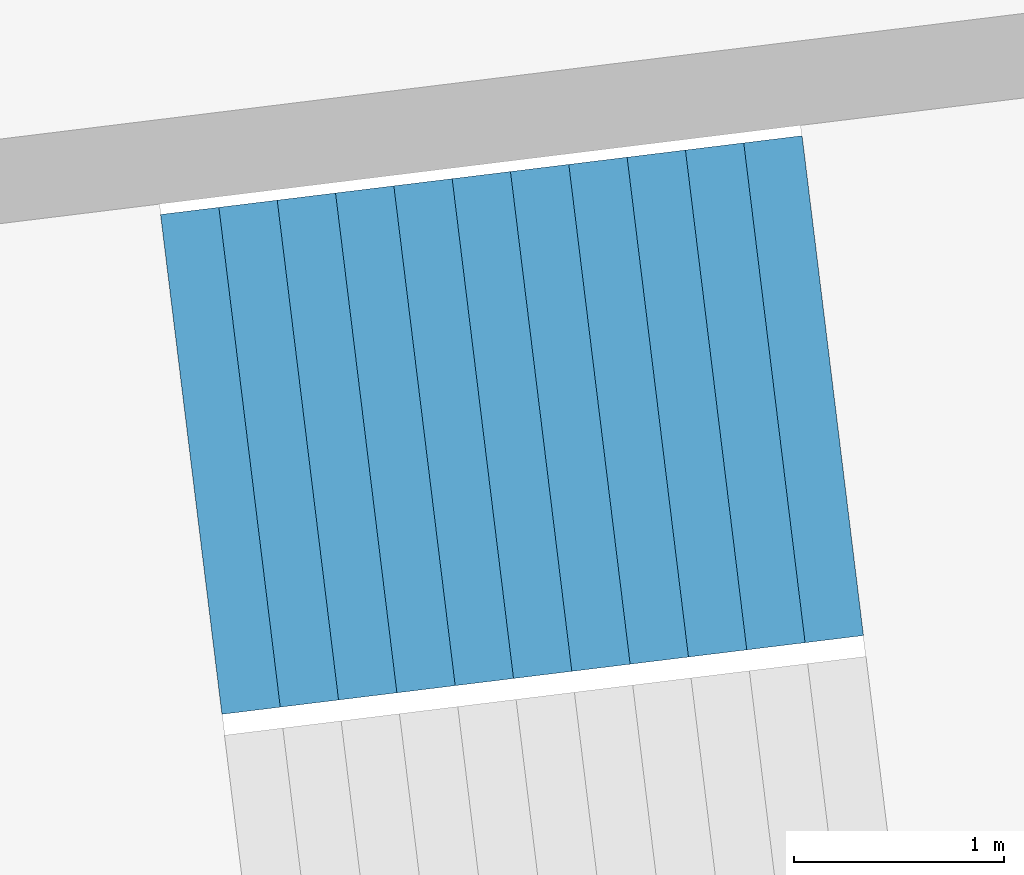
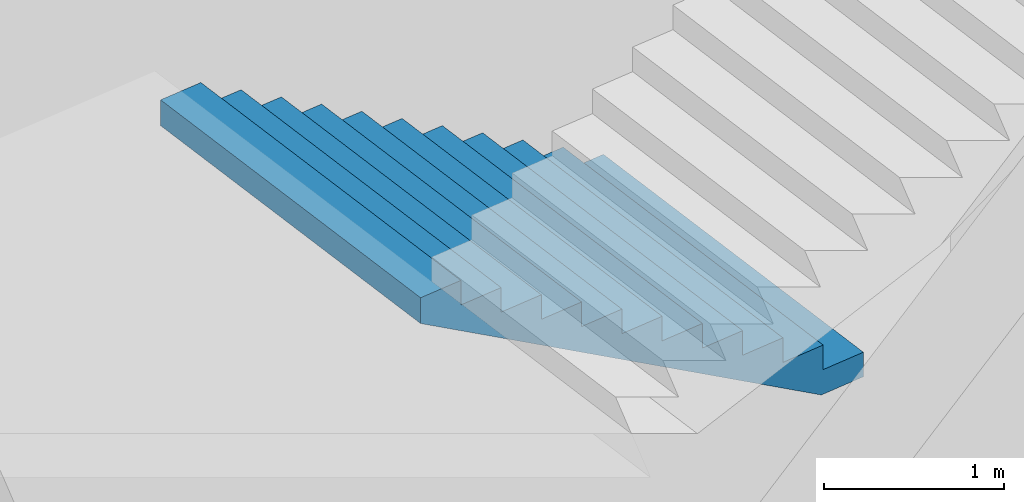
# One storey, part 25 of 74: 1 stair flight, 1 element without a shape of its own.
"""IFC4 building model written with IfcOpenShell, lengths in metres."""

import ifcopenshell
import ifcopenshell.guid

model = None  # the IFC model being written
_history = None  # IfcOwnerHistory: only IFC2X3 demands one
_inside = {}  # id of a spatial element -> (the spatial element, [elements in it])
_under = {}  # id of a project, library or spatial element -> (it, [spatial elements below it])
_declared = {}  # id of a project -> (the project, [libraries it declares])
_typed = {}  # id of a type object -> (the type object, [elements of that type])
_made_of = {}  # id of a material, layer set ... -> (it, [elements and type objects made of it])


def new_model(schema):
    """Start an empty IFC model of exactly this schema.

    Asked for "IFC4X3", IfcOpenShell would pick the latest addendum, in which some entities
    have other attributes; the version numbers below select the first issue.
    IFC2X3 requires an IfcOwnerHistory on every rooted entity: one is made here for all.
    """
    global model, _history
    if schema == "IFC4X3":
        model = ifcopenshell.file(schema_version=(4, 3, 0, 0))
    else:
        model = ifcopenshell.file(schema=schema)
    _inside.clear()
    _under.clear()
    _declared.clear()
    _typed.clear()
    _made_of.clear()
    _history = None
    if model.schema == "IFC2X3":
        org = make("IfcOrganization", Name="unknown")
        user = make(
            "IfcPersonAndOrganization",
            ThePerson=make("IfcPerson", FamilyName="unknown"),
            TheOrganization=org,
        )
        app = make(
            "IfcApplication",
            ApplicationDeveloper=org,
            Version="unknown",
            ApplicationFullName="unknown",
            ApplicationIdentifier="unknown",
        )
        _history = make(
            "IfcOwnerHistory",
            OwningUser=user,
            OwningApplication=app,
            ChangeAction="ADDED",
            CreationDate=0,
        )
    return model


def make(cls, **values):
    """One entity of the class cls with the attributes given. An attribute that is None is left unset."""
    return model.create_entity(
        cls, **{name: value for name, value in values.items() if value is not None}
    )


def rooted(cls, **values):
    """An entity with a GlobalId (a new one), such as an element, a storey or a relation."""
    return make(cls, GlobalId=ifcopenshell.guid.new(), OwnerHistory=_history, **values)


def si_unit(unit_type, name, prefix=None):
    """IfcSIUnit, for example si_unit("LENGTHUNIT", "METRE", prefix="MILLI")."""
    return make("IfcSIUnit", UnitType=unit_type, Prefix=prefix, Name=name)


def assignment(units):
    """IfcUnitAssignment: the units of a project."""
    return None if units is None else make("IfcUnitAssignment", Units=units)


def point(xyz):
    """IfcCartesianPoint."""
    return None if xyz is None else make("IfcCartesianPoint", Coordinates=xyz)


def direction(xyz):
    """IfcDirection."""
    return None if xyz is None else make("IfcDirection", DirectionRatios=xyz)


def frame(location, z_axis=None, x_axis=None):
    """IfcAxis2Placement3D, a coordinate frame: its origin and axes. An axis left out is left unset."""
    return make(
        "IfcAxis2Placement3D",
        Location=point(location),
        Axis=direction(z_axis),
        RefDirection=direction(x_axis),
    )


def origin():
    """The frame at (0, 0, 0) with its axes left unset."""
    return frame((0.0, 0.0, 0.0))


def place(relative_to, where):
    """IfcLocalPlacement: puts the frame where relative to a parent placement (None: the world)."""
    return make(
        "IfcLocalPlacement", PlacementRelTo=relative_to, RelativePlacement=where
    )


def context(
    kind, dimensions, precision=None, world=None, true_north=None, identifier=None
):
    """IfcGeometricRepresentationContext, for example the 3D "Model" context."""
    return make(
        "IfcGeometricRepresentationContext",
        ContextIdentifier=identifier,
        ContextType=kind,
        CoordinateSpaceDimension=dimensions,
        Precision=precision,
        WorldCoordinateSystem=world,
        TrueNorth=true_north,
    )


def subcontext(parent, identifier, kind, view, scale=None):
    """IfcGeometricRepresentationSubContext, for example "Body" below "Model"."""
    return make(
        "IfcGeometricRepresentationSubContext",
        ContextIdentifier=identifier,
        ContextType=kind,
        ParentContext=parent,
        TargetScale=scale,
        TargetView=view,
    )


def project(units=None, contexts=None):
    """IfcProject with its units and contexts."""
    return rooted(
        "IfcProject",
        Name="project",
        RepresentationContexts=contexts,
        UnitsInContext=assignment(units),
    )


def spatial(cls, under=None, at=None, **own):
    """A site, building, storey or space (cls), placed at a placement, below another one or the project."""
    s = rooted(cls, ObjectPlacement=at, **own)
    if under is not None:
        _under.setdefault(under.id(), (under, []))[1].append(s)
    return s


def point_list(points):
    """IfcCartesianPointList2D or 3D."""
    cls = (
        "IfcCartesianPointList2D" if len(points[0]) == 2 else "IfcCartesianPointList3D"
    )
    return make(cls, CoordList=points)


def triangles(points, corners, closed=None, point_numbers=None):
    """IfcTriangulatedFaceSet: each triangle names its three corners, points numbered from 1."""
    return make(
        "IfcTriangulatedFaceSet",
        Coordinates=point_list(points),
        Closed=closed,
        CoordIndex=corners,
        PnIndex=point_numbers,
    )


def shape(context_of_items, identifier, shape_type, items):
    """IfcShapeRepresentation: the items that make up one representation, for example the "Body"."""
    return make(
        "IfcShapeRepresentation",
        ContextOfItems=context_of_items,
        RepresentationIdentifier=identifier,
        RepresentationType=shape_type,
        Items=items,
    )


def material(Name=None, Category=None):
    """IfcMaterial."""
    return make("IfcMaterial", Name=Name, Category=Category)


def made_of(thing, what):
    """Note that an element or type object is made of a material, layer set ...; save() writes the relation."""
    if what is not None:
        _made_of.setdefault(what.id(), (what, []))[1].append(thing)
    return thing


def type_object(cls, material=None, **own):
    """A type object (cls), such as IfcWallType, which elements share."""
    return made_of(rooted(cls, **own), material)


def element(
    cls,
    number,
    at=None,
    inside=None,
    cuts=None,
    type_object=None,
    material=None,
    context=None,
    identifier="Body",
    shape_type=None,
    held_by="IfcProductDefinitionShape",
    body=None,
    shapes=None,
    **own,
):
    """One element of the class cls, such as IfcWall. Its Tag is "e" and its number.

    at: its placement. inside: the storey or other place that contains it. cuts: it is an
    opening in that element (IfcRelVoidsElement). A single representation is given by context,
    identifier, shape_type and body (its items); several are given by shapes. held_by: the class
    of the entity that holds the representations. save() writes the other relations.
    """
    e = rooted(cls, Tag="e%d" % number, ObjectPlacement=at, **own)
    if body is not None:
        shapes = [shape(context, identifier, shape_type, body)]
    if shapes is not None:
        e.Representation = make(held_by, Representations=shapes)
    if inside is not None:
        _inside.setdefault(inside.id(), (inside, []))[1].append(e)
    if cuts is not None:
        rooted(
            "IfcRelVoidsElement", RelatingBuildingElement=cuts, RelatedOpeningElement=e
        )
    if type_object is not None:
        _typed.setdefault(type_object.id(), (type_object, []))[1].append(e)
    return made_of(e, material)


def aggregate(whole, parts):
    """IfcRelAggregates: a whole, such as a stair, and the parts it consists of."""
    return rooted("IfcRelAggregates", RelatingObject=whole, RelatedObjects=parts)


def save(model, path):
    """Write the relations noted so far, then the file.

    IfcRelAggregates (storeys below a building ...), IfcRelContainedInSpatialStructure (elements
    in a storey), IfcRelDefinesByType, IfcRelAssociatesMaterial and IfcRelDeclares: one each for
    every whole, place, type object, material and project.
    """
    for whole, parts in _under.values():
        aggregate(whole, parts)
    for where, things in _inside.values():
        rooted(
            "IfcRelContainedInSpatialStructure",
            RelatedElements=things,
            RelatingStructure=where,
        )
    for kind, things in _typed.values():
        rooted("IfcRelDefinesByType", RelatedObjects=things, RelatingType=kind)
    for what, things in _made_of.values():
        rooted("IfcRelAssociatesMaterial", RelatedObjects=things, RelatingMaterial=what)
    for by, libraries in _declared.values():
        rooted("IfcRelDeclares", RelatingContext=by, RelatedDefinitions=libraries)
    model.write(path)


model = new_model("IFC4")

# Units and contexts
model_context = context("Model", 3, precision=1e-05, world=origin(), true_north=direction((0.0, 1.0)))
body_context = subcontext(model_context, "Body", "Model", "MODEL_VIEW")
ifc_project = project(units=[si_unit("LENGTHUNIT", "METRE"), si_unit("AREAUNIT", "SQUARE_METRE"), si_unit("VOLUMEUNIT", "CUBIC_METRE"), si_unit("PLANEANGLEUNIT", "RADIAN"), si_unit("MASSUNIT", "GRAM", prefix="KILO")], contexts=[model_context])

# Site, building, storey
site_placement = place(None, origin())
site = spatial("IfcSite", under=ifc_project, at=site_placement, CompositionType="ELEMENT")
building_placement = place(site_placement, origin())
building = spatial("IfcBuilding", under=site, at=building_placement, Name="Lantaw Convention Tower", CompositionType="ELEMENT")
storey_placement = place(building_placement, frame((0.0, 0.0, 6.5)))
storey = spatial("IfcBuildingStorey", under=building, at=storey_placement, Name="L01", CompositionType="ELEMENT", Elevation=6.5)

# Stair, stair flight
ifc_material = material(Name="Concrete C35/45", Category="concrete")
stair_type = type_object("IfcStairType", Name="Exit stair 2400 riser 166.67 in 4 flights", PredefinedType="HALF_TURN_STAIR", material=ifc_material)
stair_placement = place(storey_placement, origin())
stair = element("IfcStair", 1, at=stair_placement, inside=storey, type_object=stair_type, Name="Podium exit stair P10 L01", PredefinedType="HALF_TURN_STAIR")
stair_flight_type = type_object("IfcStairFlightType", Name="Stair flight 2400 riser 166.67", PredefinedType="STRAIGHT", material=ifc_material)
stair_flight_placement = place(storey_placement, frame((-35.162109375, -3.057861328125, 4.0), z_axis=(0.0, 0.0, 1.0), x_axis=(-0.992546151641, -0.121869343405, 0.0)))
stair_flight = element("IfcStairFlight", 2, at=stair_flight_placement, type_object=stair_flight_type, Name="P10 flight 3", NumberOfRisers=12, NumberOfTreads=11, PredefinedType="STRAIGHT", RiserHeight=0.166666667, TreadLength=0.28, context=body_context, shape_type="Tessellation", body=[
    triangles([(0.0, 1.199951171875, 0.0), (0.0, 1.199951171875, 0.166666667), (0.28, 1.199951171875, 0.0), (0.28, 1.199951171875, 0.166666667), (0.28, 1.199951171875, 0.333333334), (0.29307345806906726, 1.199951171875, 0.0), (0.29307345806906726, 1.199951171875, 0.333333334), (0.56, 1.199951171875, 0.15888484670522965), (0.56, 1.199951171875, 0.333333334), (0.56, 1.199951171875, 0.500000001), (0.8400000000000001, 1.199951171875, 0.3255515137052296), (0.8400000000000001, 1.199951171875, 0.500000001), (0.8400000000000001, 1.199951171875, 0.666666668), (1.12, 1.199951171875, 0.4922181807052296), (1.12, 1.199951171875, 0.666666668), (1.12, 1.199951171875, 0.833333335), (1.4000000000000001, 1.199951171875, 0.6588848477052296), (1.4000000000000001, 1.199951171875, 0.833333335), (1.4000000000000001, 1.199951171875, 1.000000002), (1.6800000000000002, 1.199951171875, 0.8255515147052296), (1.6800000000000002, 1.199951171875, 1.000000002), (1.6800000000000002, 1.199951171875, 1.166666669), (1.9600000000000002, 1.199951171875, 0.9922181817052296), (1.9600000000000002, 1.199951171875, 1.166666669), (1.9600000000000002, 1.199951171875, 1.333333336), (2.24, 1.199951171875, 1.1588848487052295), (2.24, 1.199951171875, 1.333333336), (2.24, 1.199951171875, 1.5000000029999998), (2.5200000000000005, 1.199951171875, 1.3255515157052296), (2.5200000000000005, 1.199951171875, 1.5000000029999998), (2.5200000000000005, 1.199951171875, 1.66666667), (2.8000000000000003, 1.199951171875, 1.4922181827052294), (2.8000000000000003, 1.199951171875, 1.66666667), (2.8000000000000003, 1.199951171875, 1.833333337), (3.08, 1.199951171875, 1.6588848497052293), (3.08, 1.199951171875, 1.833333337), (0.0, -1.199951171875, 0.0), (0.0, -1.199951171875, 0.166666667), (0.28, -1.199951171875, 0.0), (0.28, -1.199951171875, 0.166666667), (0.28, -1.199951171875, 0.333333334), (0.29307345806906726, -1.199951171875, 0.0), (0.29307345806906726, -1.199951171875, 0.333333334), (0.56, -1.199951171875, 0.15888484670522965), (0.56, -1.199951171875, 0.333333334), (0.56, -1.199951171875, 0.500000001), (0.8400000000000001, -1.199951171875, 0.3255515137052296), (0.8400000000000001, -1.199951171875, 0.500000001), (0.8400000000000001, -1.199951171875, 0.666666668), (1.12, -1.199951171875, 0.4922181807052296), (1.12, -1.199951171875, 0.666666668), (1.12, -1.199951171875, 0.833333335), (1.4000000000000001, -1.199951171875, 0.6588848477052296), (1.4000000000000001, -1.199951171875, 0.833333335), (1.4000000000000001, -1.199951171875, 1.000000002), (1.6800000000000002, -1.199951171875, 0.8255515147052296), (1.6800000000000002, -1.199951171875, 1.000000002), (1.6800000000000002, -1.199951171875, 1.166666669), (1.9600000000000002, -1.199951171875, 0.9922181817052296), (1.9600000000000002, -1.199951171875, 1.166666669), (1.9600000000000002, -1.199951171875, 1.333333336), (2.24, -1.199951171875, 1.1588848487052295), (2.24, -1.199951171875, 1.333333336), (2.24, -1.199951171875, 1.5000000029999998), (2.5200000000000005, -1.199951171875, 1.3255515157052296), (2.5200000000000005, -1.199951171875, 1.5000000029999998), (2.5200000000000005, -1.199951171875, 1.66666667), (2.8000000000000003, -1.199951171875, 1.4922181827052294), (2.8000000000000003, -1.199951171875, 1.66666667), (2.8000000000000003, -1.199951171875, 1.833333337), (3.08, -1.199951171875, 1.6588848497052293), (3.08, -1.199951171875, 1.833333337), (0.0, 0.239990234375, 0.166666667), (0.0, 0.239990234375, 0.0), (0.0, 0.1199951171875, 0.166666667), (0.0, 0.1199951171875, 0.0), (0.0, 0.0, 0.166666667), (0.0, 0.0, 0.0), (0.0, -0.1199951171875, 0.166666667), (0.0, -0.1199951171875, 0.0), (0.0, -0.239990234375, 0.166666667), (0.0, -0.239990234375, 0.0), (0.28, 0.239990234375, 0.333333334), (0.28, 0.239990234375, 0.166666667), (0.28, 0.1199951171875, 0.333333334), (0.28, 0.1199951171875, 0.166666667), (0.28, 0.0, 0.333333334), (0.28, 0.0, 0.166666667), (0.28, -0.1199951171875, 0.333333334), (0.28, -0.1199951171875, 0.166666667), (0.28, -0.239990234375, 0.333333334), (0.28, -0.239990234375, 0.166666667), (0.56, 0.239990234375, 0.500000001), (0.56, 0.239990234375, 0.333333334), (0.56, 0.1199951171875, 0.500000001), (0.56, 0.1199951171875, 0.333333334), (0.56, 0.0, 0.500000001), (0.56, 0.0, 0.333333334), (0.56, -0.1199951171875, 0.500000001), (0.56, -0.1199951171875, 0.333333334), (0.56, -0.239990234375, 0.500000001), (0.56, -0.239990234375, 0.333333334), (0.8400000000000001, 0.239990234375, 0.666666668), (0.8400000000000001, 0.239990234375, 0.500000001), (0.8400000000000001, 0.1199951171875, 0.666666668), (0.8400000000000001, 0.1199951171875, 0.500000001), (0.8400000000000001, 0.0, 0.666666668), (0.8400000000000001, 0.0, 0.500000001), (0.8400000000000001, -0.1199951171875, 0.666666668), (0.8400000000000001, -0.1199951171875, 0.500000001), (0.8400000000000001, -0.239990234375, 0.666666668), (0.8400000000000001, -0.239990234375, 0.500000001), (1.12, 0.239990234375, 0.833333335), (1.12, 0.239990234375, 0.666666668), (1.12, 0.1199951171875, 0.833333335), (1.12, 0.1199951171875, 0.666666668), (1.12, 0.0, 0.833333335), (1.12, 0.0, 0.666666668), (1.12, -0.1199951171875, 0.833333335), (1.12, -0.1199951171875, 0.666666668), (1.12, -0.239990234375, 0.833333335), (1.12, -0.239990234375, 0.666666668), (1.4000000000000001, 0.239990234375, 1.000000002), (1.4000000000000001, 0.239990234375, 0.833333335), (1.4000000000000001, 0.1199951171875, 1.000000002), (1.4000000000000001, 0.1199951171875, 0.833333335), (1.4000000000000001, 0.0, 1.000000002), (1.4000000000000001, 0.0, 0.833333335), (1.4000000000000001, -0.1199951171875, 1.000000002), (1.4000000000000001, -0.1199951171875, 0.833333335), (1.4000000000000001, -0.239990234375, 1.000000002), (1.4000000000000001, -0.239990234375, 0.833333335), (1.6800000000000002, 0.239990234375, 1.166666669), (1.6800000000000002, 0.239990234375, 1.000000002), (1.6800000000000002, 0.1199951171875, 1.166666669), (1.6800000000000002, 0.1199951171875, 1.000000002), (1.6800000000000002, 0.0, 1.166666669), (1.6800000000000002, 0.0, 1.000000002), (1.6800000000000002, -0.1199951171875, 1.166666669), (1.6800000000000002, -0.1199951171875, 1.000000002), (1.6800000000000002, -0.239990234375, 1.166666669), (1.6800000000000002, -0.239990234375, 1.000000002), (1.9600000000000002, 0.239990234375, 1.333333336), (1.9600000000000002, 0.239990234375, 1.166666669), (1.9600000000000002, 0.1199951171875, 1.333333336), (1.9600000000000002, 0.1199951171875, 1.166666669), (1.9600000000000002, 0.0, 1.333333336), (1.9600000000000002, 0.0, 1.166666669), (1.9600000000000002, -0.1199951171875, 1.333333336), (1.9600000000000002, -0.1199951171875, 1.166666669), (1.9600000000000002, -0.239990234375, 1.333333336), (1.9600000000000002, -0.239990234375, 1.166666669), (2.24, 0.239990234375, 1.5000000029999998), (2.24, 0.239990234375, 1.333333336), (2.24, 0.1199951171875, 1.5000000029999998), (2.24, 0.1199951171875, 1.333333336), (2.24, 0.0, 1.5000000029999998), (2.24, 0.0, 1.333333336), (2.24, -0.1199951171875, 1.5000000029999998), (2.24, -0.1199951171875, 1.333333336), (2.24, -0.239990234375, 1.5000000029999998), (2.24, -0.239990234375, 1.333333336), (2.5200000000000005, 0.239990234375, 1.66666667), (2.5200000000000005, 0.239990234375, 1.5000000029999998), (2.5200000000000005, 0.1199951171875, 1.66666667), (2.5200000000000005, 0.1199951171875, 1.5000000029999998), (2.5200000000000005, 0.0, 1.66666667), (2.5200000000000005, 0.0, 1.5000000029999998), (2.5200000000000005, -0.1199951171875, 1.66666667), (2.5200000000000005, -0.1199951171875, 1.5000000029999998), (2.5200000000000005, -0.239990234375, 1.66666667), (2.5200000000000005, -0.239990234375, 1.5000000029999998), (2.8000000000000003, 0.239990234375, 1.833333337), (2.8000000000000003, 0.239990234375, 1.66666667), (2.8000000000000003, 0.1199951171875, 1.833333337), (2.8000000000000003, 0.1199951171875, 1.66666667), (2.8000000000000003, 0.0, 1.833333337), (2.8000000000000003, 0.0, 1.66666667), (2.8000000000000003, -0.1199951171875, 1.833333337), (2.8000000000000003, -0.1199951171875, 1.66666667), (2.8000000000000003, -0.239990234375, 1.833333337), (2.8000000000000003, -0.239990234375, 1.66666667), (0.29307345806906726, 0.239990234375, 0.333333334), (0.29307345806906726, 0.1199951171875, 0.333333334), (0.29307345806906726, 0.0, 0.333333334), (0.29307345806906726, -0.1199951171875, 0.333333334), (0.29307345806906726, -0.239990234375, 0.333333334), (3.08, 0.239990234375, 1.833333337), (3.08, 0.1199951171875, 1.833333337), (3.08, 0.0, 1.833333337), (3.08, -0.1199951171875, 1.833333337), (3.08, -0.239990234375, 1.833333337), (3.08, 0.239990234375, 1.6588848497052293), (3.08, 0.1199951171875, 1.6588848497052293), (3.08, 0.0, 1.6588848497052293), (3.08, -0.1199951171875, 1.6588848497052293), (3.08, -0.239990234375, 1.6588848497052293), (2.8000000000000003, 0.239990234375, 1.4922181827052294), (2.8000000000000003, 0.1199951171875, 1.4922181827052294), (2.8000000000000003, 0.0, 1.4922181827052294), (2.8000000000000003, -0.1199951171875, 1.4922181827052294), (2.8000000000000003, -0.239990234375, 1.4922181827052294), (2.5200000000000005, 0.239990234375, 1.3255515157052296), (2.5200000000000005, 0.1199951171875, 1.3255515157052296), (2.5200000000000005, 0.0, 1.3255515157052296), (2.5200000000000005, -0.1199951171875, 1.3255515157052296), (2.5200000000000005, -0.239990234375, 1.3255515157052296), (2.24, 0.239990234375, 1.1588848487052295), (2.24, 0.1199951171875, 1.1588848487052295), (2.24, 0.0, 1.1588848487052295), (2.24, -0.1199951171875, 1.1588848487052295), (2.24, -0.239990234375, 1.1588848487052295), (1.9600000000000002, 0.239990234375, 0.9922181817052296), (1.9600000000000002, 0.1199951171875, 0.9922181817052296), (1.9600000000000002, 0.0, 0.9922181817052296), (1.9600000000000002, -0.1199951171875, 0.9922181817052296), (1.9600000000000002, -0.239990234375, 0.9922181817052296), (1.6800000000000002, 0.239990234375, 0.8255515147052296), (1.6800000000000002, 0.1199951171875, 0.8255515147052296), (1.6800000000000002, 0.0, 0.8255515147052296), (1.6800000000000002, -0.1199951171875, 0.8255515147052296), (1.6800000000000002, -0.239990234375, 0.8255515147052296), (1.4000000000000001, 0.239990234375, 0.6588848477052296), (1.4000000000000001, 0.1199951171875, 0.6588848477052296), (1.4000000000000001, 0.0, 0.6588848477052296), (1.4000000000000001, -0.1199951171875, 0.6588848477052296), (1.4000000000000001, -0.239990234375, 0.6588848477052296), (1.12, 0.239990234375, 0.4922181807052296), (1.12, 0.1199951171875, 0.4922181807052296), (1.12, 0.0, 0.4922181807052296), (1.12, -0.1199951171875, 0.4922181807052296), (1.12, -0.239990234375, 0.4922181807052296), (0.8400000000000001, 0.239990234375, 0.3255515137052296), (0.8400000000000001, 0.1199951171875, 0.3255515137052296), (0.8400000000000001, 0.0, 0.3255515137052296), (0.8400000000000001, -0.1199951171875, 0.3255515137052296), (0.8400000000000001, -0.239990234375, 0.3255515137052296), (0.56, 0.239990234375, 0.15888484670522965), (0.56, 0.1199951171875, 0.15888484670522965), (0.56, 0.0, 0.15888484670522965), (0.56, -0.1199951171875, 0.15888484670522965), (0.56, -0.239990234375, 0.15888484670522965), (0.29307345806906726, 0.239990234375, 0.0), (0.29307345806906726, 0.1199951171875, 0.0), (0.29307345806906726, 0.0, 0.0), (0.29307345806906726, -0.1199951171875, 0.0), (0.29307345806906726, -0.239990234375, 0.0), (0.28, 0.239990234375, 0.0), (0.28, 0.1199951171875, 0.0), (0.28, 0.0, 0.0), (0.28, -0.1199951171875, 0.0), (0.28, -0.239990234375, 0.0)], [[1, 4, 3], [1, 2, 4], [3, 4, 6], [4, 7, 6], [4, 5, 7], [6, 9, 8], [6, 7, 9], [8, 9, 11], [9, 12, 11], [9, 10, 12], [11, 12, 14], [12, 15, 14], [12, 13, 15], [14, 15, 17], [15, 18, 17], [15, 16, 18], [17, 18, 20], [18, 21, 20], [18, 19, 21], [20, 21, 23], [21, 24, 23], [21, 22, 24], [23, 24, 26], [24, 27, 26], [24, 25, 27], [26, 27, 29], [27, 30, 29], [27, 28, 30], [29, 30, 32], [30, 33, 32], [30, 31, 33], [32, 33, 35], [33, 36, 35], [33, 34, 36], [37, 39, 40], [37, 40, 38], [39, 42, 40], [40, 42, 43], [40, 43, 41], [42, 44, 45], [42, 45, 43], [44, 47, 45], [45, 47, 48], [45, 48, 46], [47, 50, 48], [48, 50, 51], [48, 51, 49], [50, 53, 51], [51, 53, 54], [51, 54, 52], [53, 56, 54], [54, 56, 57], [54, 57, 55], [56, 59, 57], [57, 59, 60], [57, 60, 58], [59, 62, 60], [60, 62, 63], [60, 63, 61], [62, 65, 63], [63, 65, 66], [63, 66, 64], [65, 68, 66], [66, 68, 69], [66, 69, 67], [68, 71, 69], [69, 71, 72], [69, 72, 70], [1, 73, 2], [1, 74, 73], [74, 75, 73], [74, 76, 75], [76, 77, 75], [76, 78, 77], [78, 79, 77], [78, 80, 79], [80, 81, 79], [80, 82, 81], [82, 38, 81], [82, 37, 38], [4, 83, 5], [4, 84, 83], [84, 85, 83], [84, 86, 85], [86, 87, 85], [86, 88, 87], [88, 89, 87], [88, 90, 89], [90, 91, 89], [90, 92, 91], [92, 41, 91], [92, 40, 41], [9, 93, 10], [9, 94, 93], [94, 95, 93], [94, 96, 95], [96, 97, 95], [96, 98, 97], [98, 99, 97], [98, 100, 99], [100, 101, 99], [100, 102, 101], [102, 46, 101], [102, 45, 46], [12, 103, 13], [12, 104, 103], [104, 105, 103], [104, 106, 105], [106, 107, 105], [106, 108, 107], [108, 109, 107], [108, 110, 109], [110, 111, 109], [110, 112, 111], [112, 49, 111], [112, 48, 49], [15, 113, 16], [15, 114, 113], [114, 115, 113], [114, 116, 115], [116, 117, 115], [116, 118, 117], [118, 119, 117], [118, 120, 119], [120, 121, 119], [120, 122, 121], [122, 52, 121], [122, 51, 52], [18, 123, 19], [18, 124, 123], [124, 125, 123], [124, 126, 125], [126, 127, 125], [126, 128, 127], [128, 129, 127], [128, 130, 129], [130, 131, 129], [130, 132, 131], [132, 55, 131], [132, 54, 55], [21, 133, 22], [21, 134, 133], [134, 135, 133], [134, 136, 135], [136, 137, 135], [136, 138, 137], [138, 139, 137], [138, 140, 139], [140, 141, 139], [140, 142, 141], [142, 58, 141], [142, 57, 58], [24, 143, 25], [24, 144, 143], [144, 145, 143], [144, 146, 145], [146, 147, 145], [146, 148, 147], [148, 149, 147], [148, 150, 149], [150, 151, 149], [150, 152, 151], [152, 61, 151], [152, 60, 61], [27, 153, 28], [27, 154, 153], [154, 155, 153], [154, 156, 155], [156, 157, 155], [156, 158, 157], [158, 159, 157], [158, 160, 159], [160, 161, 159], [160, 162, 161], [162, 64, 161], [162, 63, 64], [30, 163, 31], [30, 164, 163], [164, 165, 163], [164, 166, 165], [166, 167, 165], [166, 168, 167], [168, 169, 167], [168, 170, 169], [170, 171, 169], [170, 172, 171], [172, 67, 171], [172, 66, 67], [33, 173, 34], [33, 174, 173], [174, 175, 173], [174, 176, 175], [176, 177, 175], [176, 178, 177], [178, 179, 177], [178, 180, 179], [180, 181, 179], [180, 182, 181], [182, 70, 181], [182, 69, 70], [2, 84, 4], [2, 73, 84], [73, 86, 84], [73, 75, 86], [75, 88, 86], [75, 77, 88], [77, 90, 88], [77, 79, 90], [79, 92, 90], [79, 81, 92], [81, 40, 92], [81, 38, 40], [5, 183, 7], [5, 83, 183], [83, 184, 183], [83, 85, 184], [85, 185, 184], [85, 87, 185], [87, 186, 185], [87, 89, 186], [89, 187, 186], [89, 91, 187], [91, 43, 187], [91, 41, 43], [7, 94, 9], [7, 183, 94], [183, 96, 94], [183, 184, 96], [184, 98, 96], [184, 185, 98], [185, 100, 98], [185, 186, 100], [186, 102, 100], [186, 187, 102], [187, 45, 102], [187, 43, 45], [10, 104, 12], [10, 93, 104], [93, 106, 104], [93, 95, 106], [95, 108, 106], [95, 97, 108], [97, 110, 108], [97, 99, 110], [99, 112, 110], [99, 101, 112], [101, 48, 112], [101, 46, 48], [13, 114, 15], [13, 103, 114], [103, 116, 114], [103, 105, 116], [105, 118, 116], [105, 107, 118], [107, 120, 118], [107, 109, 120], [109, 122, 120], [109, 111, 122], [111, 51, 122], [111, 49, 51], [16, 124, 18], [16, 113, 124], [113, 126, 124], [113, 115, 126], [115, 128, 126], [115, 117, 128], [117, 130, 128], [117, 119, 130], [119, 132, 130], [119, 121, 132], [121, 54, 132], [121, 52, 54], [19, 134, 21], [19, 123, 134], [123, 136, 134], [123, 125, 136], [125, 138, 136], [125, 127, 138], [127, 140, 138], [127, 129, 140], [129, 142, 140], [129, 131, 142], [131, 57, 142], [131, 55, 57], [22, 144, 24], [22, 133, 144], [133, 146, 144], [133, 135, 146], [135, 148, 146], [135, 137, 148], [137, 150, 148], [137, 139, 150], [139, 152, 150], [139, 141, 152], [141, 60, 152], [141, 58, 60], [25, 154, 27], [25, 143, 154], [143, 156, 154], [143, 145, 156], [145, 158, 156], [145, 147, 158], [147, 160, 158], [147, 149, 160], [149, 162, 160], [149, 151, 162], [151, 63, 162], [151, 61, 63], [28, 164, 30], [28, 153, 164], [153, 166, 164], [153, 155, 166], [155, 168, 166], [155, 157, 168], [157, 170, 168], [157, 159, 170], [159, 172, 170], [159, 161, 172], [161, 66, 172], [161, 64, 66], [31, 174, 33], [31, 163, 174], [163, 176, 174], [163, 165, 176], [165, 178, 176], [165, 167, 178], [167, 180, 178], [167, 169, 180], [169, 182, 180], [169, 171, 182], [171, 69, 182], [171, 67, 69], [34, 188, 36], [34, 173, 188], [173, 189, 188], [173, 175, 189], [175, 190, 189], [175, 177, 190], [177, 191, 190], [177, 179, 191], [179, 192, 191], [179, 181, 192], [181, 72, 192], [181, 70, 72], [36, 193, 35], [36, 188, 193], [188, 194, 193], [188, 189, 194], [189, 195, 194], [189, 190, 195], [190, 196, 195], [190, 191, 196], [191, 197, 196], [191, 192, 197], [192, 71, 197], [192, 72, 71], [35, 198, 32], [35, 193, 198], [193, 199, 198], [193, 194, 199], [194, 200, 199], [194, 195, 200], [195, 201, 200], [195, 196, 201], [196, 202, 201], [196, 197, 202], [197, 68, 202], [197, 71, 68], [32, 203, 29], [32, 198, 203], [198, 204, 203], [198, 199, 204], [199, 205, 204], [199, 200, 205], [200, 206, 205], [200, 201, 206], [201, 207, 206], [201, 202, 207], [202, 65, 207], [202, 68, 65], [29, 208, 26], [29, 203, 208], [203, 209, 208], [203, 204, 209], [204, 210, 209], [204, 205, 210], [205, 211, 210], [205, 206, 211], [206, 212, 211], [206, 207, 212], [207, 62, 212], [207, 65, 62], [26, 213, 23], [26, 208, 213], [208, 214, 213], [208, 209, 214], [209, 215, 214], [209, 210, 215], [210, 216, 215], [210, 211, 216], [211, 217, 216], [211, 212, 217], [212, 59, 217], [212, 62, 59], [23, 218, 20], [23, 213, 218], [213, 219, 218], [213, 214, 219], [214, 220, 219], [214, 215, 220], [215, 221, 220], [215, 216, 221], [216, 222, 221], [216, 217, 222], [217, 56, 222], [217, 59, 56], [20, 223, 17], [20, 218, 223], [218, 224, 223], [218, 219, 224], [219, 225, 224], [219, 220, 225], [220, 226, 225], [220, 221, 226], [221, 227, 226], [221, 222, 227], [222, 53, 227], [222, 56, 53], [17, 228, 14], [17, 223, 228], [223, 229, 228], [223, 224, 229], [224, 230, 229], [224, 225, 230], [225, 231, 230], [225, 226, 231], [226, 232, 231], [226, 227, 232], [227, 50, 232], [227, 53, 50], [14, 233, 11], [14, 228, 233], [228, 234, 233], [228, 229, 234], [229, 235, 234], [229, 230, 235], [230, 236, 235], [230, 231, 236], [231, 237, 236], [231, 232, 237], [232, 47, 237], [232, 50, 47], [11, 238, 8], [11, 233, 238], [233, 239, 238], [233, 234, 239], [234, 240, 239], [234, 235, 240], [235, 241, 240], [235, 236, 241], [236, 242, 241], [236, 237, 242], [237, 44, 242], [237, 47, 44], [8, 243, 6], [8, 238, 243], [238, 244, 243], [238, 239, 244], [239, 245, 244], [239, 240, 245], [240, 246, 245], [240, 241, 246], [241, 247, 246], [241, 242, 247], [242, 42, 247], [242, 44, 42], [6, 248, 3], [6, 243, 248], [243, 249, 248], [243, 244, 249], [244, 250, 249], [244, 245, 250], [245, 251, 250], [245, 246, 251], [246, 252, 251], [246, 247, 252], [247, 39, 252], [247, 42, 39], [3, 74, 1], [3, 248, 74], [248, 76, 74], [248, 249, 76], [249, 78, 76], [249, 250, 78], [250, 80, 78], [250, 251, 80], [251, 82, 80], [251, 252, 82], [252, 37, 82], [252, 39, 37]], closed=True),
])
aggregate(stair, [stair_flight])

save(model, "model.ifc")
